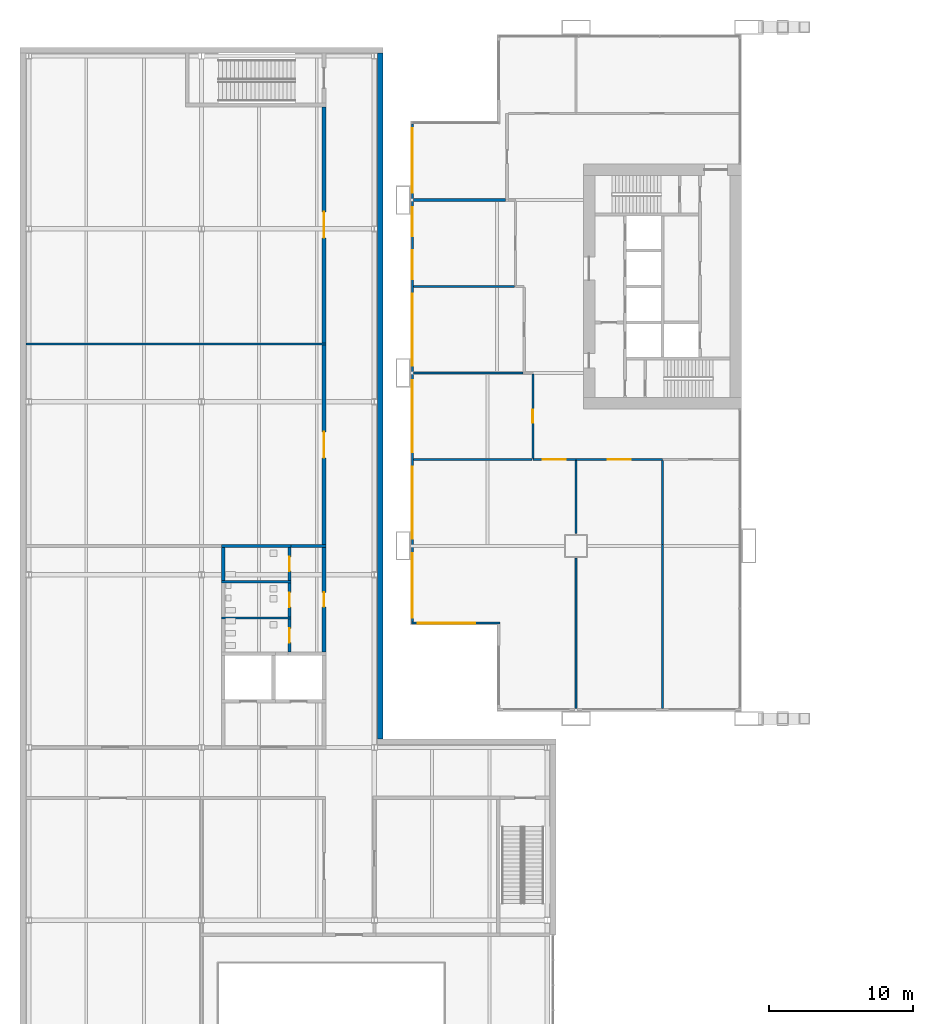
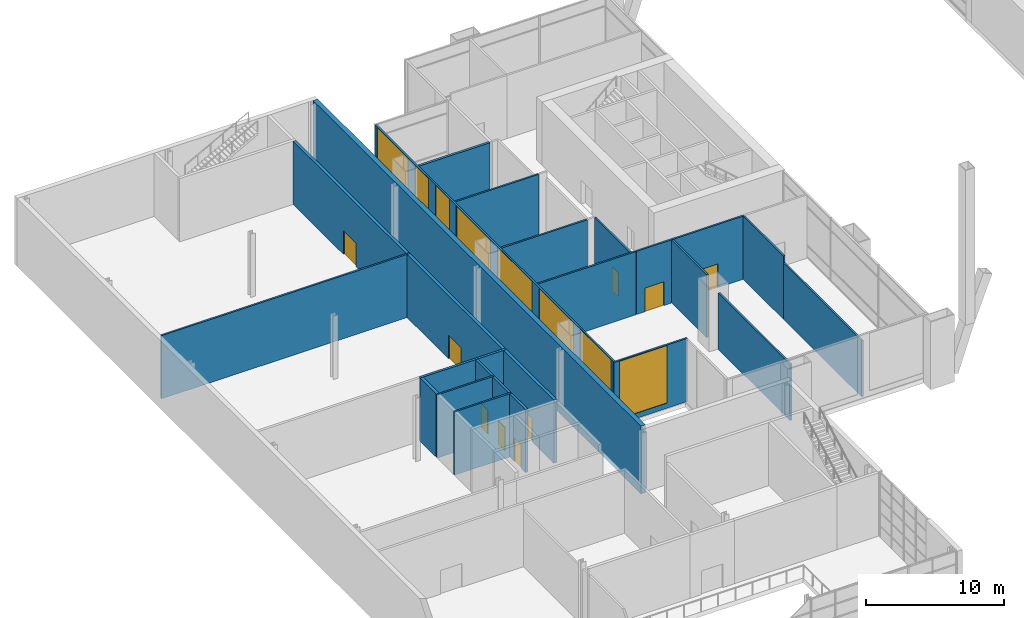
# One storey, part 22 of 30: 26 walls, 9 doors, 8 windows, 17 openings.
"""IFC4 building model written with IfcOpenShell, lengths in metres."""

from ifc_helpers import new_model, si_unit, direction, frame, frame_2d, origin, place, context, subcontext, project, spatial, rectangle, extrude, material, layer, layer_set, type_object, element, fill, save


model = new_model("IFC4")

# Units and contexts
model_context = context("Model", 3, precision=1e-05, world=origin(), true_north=direction((0.0, 1.0)))
body_context = subcontext(model_context, "Body", "Model", "MODEL_VIEW")
ifc_project = project(units=[si_unit("LENGTHUNIT", "METRE"), si_unit("AREAUNIT", "SQUARE_METRE"), si_unit("VOLUMEUNIT", "CUBIC_METRE"), si_unit("PLANEANGLEUNIT", "RADIAN"), si_unit("MASSUNIT", "GRAM", prefix="KILO")], contexts=[model_context])

# Site, building, storey
site_placement = place(None, origin())
site = spatial("IfcSite", under=ifc_project, at=site_placement, CompositionType="ELEMENT")
building_placement = place(site_placement, origin())
building = spatial("IfcBuilding", under=site, at=building_placement, Name="Kitamizu Gate Tower and Museum", CompositionType="ELEMENT")
storey_placement = place(building_placement, frame((0.0, 0.0, 6.0)))
storey = spatial("IfcBuildingStorey", under=building, at=storey_placement, Name="L01", CompositionType="ELEMENT", Elevation=6.0)

# Wall
ifc_material_1 = material(Name="Concrete Fc30 precast", Category="concrete")
ifc_layer_1 = layer(ifc_material_1, 0.39990234375)
ifc_layer_set_1 = layer_set([ifc_layer_1], Name="Concrete Fc30 precast")
wall_type_1 = type_object("IfcWallType", Name="Museum cladding wall 400", PredefinedType="STANDARD", material=ifc_layer_set_1)
wall_1_placement = place(storey_placement, frame((-1.60009765625, -1.39990234375, -0.39990234375), z_axis=(0.0, 0.0, 1.0), x_axis=(0.0, 1.0, 0.0)))
element("IfcWall", 1, at=wall_1_placement, inside=storey, type_object=wall_type_1, Name="Cladding wall L01.6", PredefinedType="STANDARD", context=body_context, shape_type="SweptSolid", body=[
    extrude(rectangle(XDim=47.599853515625, YDim=0.39990234375, at=frame_2d((23.7998046875, 0.0))), origin(), (0.0, 0.0, 1.0), 6.0),
])

# Wall, opening, door
ifc_material_2 = material(Name="Gypsum board on galvanised stud")
ifc_layer_2 = layer(ifc_material_2, 0.199951171875)
ifc_layer_set_2 = layer_set([ifc_layer_2], Name="Gypsum board on galvanised stud")
wall_type_2 = type_object("IfcWallType", Name="Museum fire rated partition 200", PredefinedType="PARTITIONING", material=ifc_layer_set_2)
wall_2_placement = place(storey_placement, frame((-7.89990234375, 9.574951171875, 0.0), z_axis=(0.0, 0.0, 1.0), x_axis=(0.0, 1.0, 0.0)))
wall_2 = element("IfcWall", 2, at=wall_2_placement, inside=storey, type_object=wall_type_2, Name="Fire-rated partition L01.37.1", PredefinedType="PARTITIONING", context=body_context, shape_type="SweptSolid", body=[
    extrude(rectangle(XDim=2.324951171875, YDim=0.199951171875, at=frame_2d((1.16259765625, 0.0))), origin(), (0.0, 0.0, 1.0), 5.60009765625),
])
opening_1_placement = place(wall_2_placement, frame((0.6630859375, 0.0, 0.0)))
opening_1 = element("IfcOpeningElement", 3, at=opening_1_placement, cuts=wall_2, Name="Opening MUS-L01-009", PredefinedType="OPENING", context=body_context, shape_type="SweptSolid", body=[
    extrude(rectangle(XDim=1.0, YDim=2.10009765625, at=frame_2d((0.5, 1.050048828125))), frame((0.0, 0.10986328125, 0.0), z_axis=(0.0, -1.0, 0.0), x_axis=(1.0, 0.0, 0.0)), (0.0, 0.0, 1.0), 0.219970703125),
])
ifc_material_3 = material(Name="Timber leaf in hollow metal frame", Category="wood")
door_type_1 = type_object("IfcDoorType", Name="Museum door 1000x2100 FD60", OperationType="NOTDEFINED", PredefinedType="DOOR", material=ifc_material_3)
door_1_placement = place(opening_1_placement, origin())
door_1 = element("IfcDoor", 4, at=door_1_placement, inside=storey, type_object=door_type_1, Name="Door Accessible WC", OperationType="SINGLE_SWING_RIGHT", OverallHeight=2.10009765625, OverallWidth=1.0, PredefinedType="DOOR", context=body_context, shape_type="SweptSolid", body=[
    extrude(rectangle(XDim=1.0, YDim=2.10009765625, at=frame_2d((0.5, 1.050048828125))), frame((0.0, 0.02490234375, 0.0), z_axis=(0.0, -1.0, 0.0), x_axis=(1.0, 0.0, 0.0)), (0.0, 0.0, 1.0), 0.050048828125),
])
fill(opening_1, door_1)

wall_3_placement = place(storey_placement, frame((-7.89990234375, 7.074951171875, 0.0), z_axis=(0.0, 0.0, 1.0), x_axis=(0.0, 1.0, 0.0)))
wall_3 = element("IfcWall", 5, at=wall_3_placement, inside=storey, type_object=wall_type_2, Name="Fire-rated partition L01.38.1", PredefinedType="PARTITIONING", context=body_context, shape_type="SweptSolid", body=[
    extrude(rectangle(XDim=2.35009765625, YDim=0.199951171875, at=frame_2d((1.175048828125, 0.0))), origin(), (0.0, 0.0, 1.0), 5.60009765625),
])
opening_2_placement = place(wall_3_placement, frame((0.675048828125, 0.0, 0.0)))
opening_2 = element("IfcOpeningElement", 6, at=opening_2_placement, cuts=wall_3, Name="Opening MUS-L01-008", PredefinedType="OPENING", context=body_context, shape_type="SweptSolid", body=[
    extrude(rectangle(XDim=1.0, YDim=2.10009765625, at=frame_2d((0.5, 1.050048828125))), frame((0.0, 0.10986328125, 0.0), z_axis=(0.0, -1.0, 0.0), x_axis=(1.0, 0.0, 0.0)), (0.0, 0.0, 1.0), 0.219970703125),
])
door_2_placement = place(opening_2_placement, origin())
door_2 = element("IfcDoor", 7, at=door_2_placement, inside=storey, type_object=door_type_1, Name="Door Men WC", OperationType="SINGLE_SWING_LEFT", OverallHeight=2.10009765625, OverallWidth=1.0, PredefinedType="DOOR", context=body_context, shape_type="SweptSolid", body=[
    extrude(rectangle(XDim=1.0, YDim=2.10009765625, at=frame_2d((0.5, 1.050048828125))), frame((0.0, 0.02490234375, 0.0), z_axis=(0.0, -1.0, 0.0), x_axis=(1.0, 0.0, 0.0)), (0.0, 0.0, 1.0), 0.050048828125),
])
fill(opening_2, door_2)

# Wall
wall_4_placement = place(storey_placement, frame((-7.800048828125, 12.0, 0.0), z_axis=(0.0, 0.0, 1.0), x_axis=(1.0, 0.0, 0.0)))
element("IfcWall", 8, at=wall_4_placement, inside=storey, type_object=wall_type_2, Name="Fire-rated partition L01.39.1", PredefinedType="PARTITIONING", context=body_context, shape_type="SweptSolid", body=[
    extrude(rectangle(XDim=2.425048828125, YDim=0.199951171875, at=frame_2d((1.21240234375, 0.0))), origin(), (0.0, 0.0, 1.0), 5.60009765625),
])

# Wall, opening, door
wall_5_placement = place(storey_placement, frame((-7.89990234375, 4.625, 0.0), z_axis=(0.0, 0.0, 1.0), x_axis=(0.0, 1.0, 0.0)))
wall_5 = element("IfcWall", 9, at=wall_5_placement, inside=storey, type_object=wall_type_2, Name="Fire-rated partition L01.40.1", PredefinedType="PARTITIONING", context=body_context, shape_type="SweptSolid", body=[
    extrude(rectangle(XDim=2.300048828125, YDim=0.199951171875, at=frame_2d((1.14990234375, 0.0))), origin(), (0.0, 0.0, 1.0), 5.60009765625),
])
opening_3_placement = place(wall_5_placement, frame((0.64990234375, 0.0, 0.0)))
opening_3 = element("IfcOpeningElement", 10, at=opening_3_placement, cuts=wall_5, Name="Opening MUS-L01-007", PredefinedType="OPENING", context=body_context, shape_type="SweptSolid", body=[
    extrude(rectangle(XDim=1.0, YDim=2.10009765625, at=frame_2d((0.5, 1.050048828125))), frame((0.0, 0.10986328125, 0.0), z_axis=(0.0, -1.0, 0.0), x_axis=(1.0, 0.0, 0.0)), (0.0, 0.0, 1.0), 0.219970703125),
])
door_3_placement = place(opening_3_placement, origin())
door_3 = element("IfcDoor", 11, at=door_3_placement, inside=storey, type_object=door_type_1, Name="Door Women WC", OperationType="SINGLE_SWING_RIGHT", OverallHeight=2.10009765625, OverallWidth=1.0, PredefinedType="DOOR", context=body_context, shape_type="SweptSolid", body=[
    extrude(rectangle(XDim=1.0, YDim=2.10009765625, at=frame_2d((0.5, 1.050048828125))), frame((0.0, 0.02490234375, 0.0), z_axis=(0.0, -1.0, 0.0), x_axis=(1.0, 0.0, 0.0)), (0.0, 0.0, 1.0), 0.050048828125),
])
fill(opening_3, door_3)

ifc_material_4 = material(Name="Gypsum board on galvanised stud")
ifc_layer_3 = layer(ifc_material_4, 0.25)
ifc_layer_set_3 = layer_set([ifc_layer_3], Name="Gypsum board on galvanised stud")
wall_type_3 = type_object("IfcWallType", Name="Museum fire rated partition 250", PredefinedType="PARTITIONING", material=ifc_layer_set_3)
wall_6_placement = place(storey_placement, frame((-5.5, 12.10009765625, 0.0), z_axis=(0.0, 0.0, 1.0), x_axis=(0.0, 1.0, 0.0)))
wall_6 = element("IfcWall", 12, at=wall_6_placement, inside=storey, type_object=wall_type_3, Name="Fire-rated partition L01.9.1", PredefinedType="PARTITIONING", context=body_context, shape_type="SweptSolid", body=[
    extrude(rectangle(XDim=13.824951171875, YDim=0.25, at=frame_2d((6.91259765625, 0.0))), origin(), (0.0, 0.0, 1.0), 5.60009765625),
])
opening_4_placement = place(wall_6_placement, frame((6.012939453125, 0.0, 0.0)))
opening_4 = element("IfcOpeningElement", 13, at=opening_4_placement, cuts=wall_6, Name="Opening MUS-L01-015", PredefinedType="OPENING", context=body_context, shape_type="SweptSolid", body=[
    extrude(rectangle(XDim=1.800048828125, YDim=2.10009765625, at=frame_2d((0.89990234375, 1.050048828125))), frame((0.0, 0.135009765625, 0.0), z_axis=(0.0, -1.0, 0.0), x_axis=(1.0, 0.0, 0.0)), (0.0, 0.0, 1.0), 0.27001953125),
])
ifc_material_5 = material(Name="Timber leaf in hollow metal frame", Category="wood")
door_type_2 = type_object("IfcDoorType", Name="Museum door 1800x2100 FD60", OperationType="DOUBLE_DOOR_SINGLE_SWING", PredefinedType="DOOR", material=ifc_material_5)
door_4_placement = place(opening_4_placement, origin())
door_4 = element("IfcDoor", 14, at=door_4_placement, inside=storey, type_object=door_type_2, Name="Door Permanent gallery 3", OperationType="DOUBLE_DOOR_SINGLE_SWING", OverallHeight=2.10009765625, OverallWidth=1.800048828125, PredefinedType="DOOR", context=body_context, shape_type="SweptSolid", body=[
    extrude(rectangle(XDim=1.800048828125, YDim=2.10009765625, at=frame_2d((0.89990234375, 1.050048828125))), frame((0.0, 0.02490234375, 0.0), z_axis=(0.0, -1.0, 0.0), x_axis=(1.0, 0.0, 0.0)), (0.0, 0.0, 1.0), 0.050048828125),
])
fill(opening_4, door_4)

wall_7_placement = place(storey_placement, frame((-5.5, 26.074951171875, 0.0), z_axis=(0.0, 0.0, 1.0), x_axis=(0.0, 1.0, 0.0)))
wall_7 = element("IfcWall", 15, at=wall_7_placement, inside=storey, type_object=wall_type_3, Name="Fire-rated partition L01.15.1", PredefinedType="PARTITIONING", context=body_context, shape_type="SweptSolid", body=[
    extrude(rectangle(XDim=16.400146484375, YDim=0.25, at=frame_2d((8.2001953125, 0.0))), origin(), (0.0, 0.0, 1.0), 5.60009765625),
])
opening_5_placement = place(wall_7_placement, frame((7.300048828125, 0.0, 0.0)))
opening_5 = element("IfcOpeningElement", 16, at=opening_5_placement, cuts=wall_7, Name="Opening MUS-L01-016", PredefinedType="OPENING", context=body_context, shape_type="SweptSolid", body=[
    extrude(rectangle(XDim=1.800048828125, YDim=2.10009765625, at=frame_2d((0.89990234375, 1.050048828125))), frame((0.0, 0.135009765625, 0.0), z_axis=(0.0, -1.0, 0.0), x_axis=(1.0, 0.0, 0.0)), (0.0, 0.0, 1.0), 0.27001953125),
])
door_5_placement = place(opening_5_placement, origin())
door_5 = element("IfcDoor", 17, at=door_5_placement, inside=storey, type_object=door_type_2, Name="Door Temporary gallery 1", OperationType="DOUBLE_DOOR_SINGLE_SWING", OverallHeight=2.10009765625, OverallWidth=1.800048828125, PredefinedType="DOOR", context=body_context, shape_type="SweptSolid", body=[
    extrude(rectangle(XDim=1.800048828125, YDim=2.10009765625, at=frame_2d((0.89990234375, 1.050048828125))), frame((0.0, 0.02490234375, 0.0), z_axis=(0.0, -1.0, 0.0), x_axis=(1.0, 0.0, 0.0)), (0.0, 0.0, 1.0), 0.050048828125),
])
fill(opening_5, door_5)

wall_8_placement = place(storey_placement, frame((-5.5, 4.625, 0.0), z_axis=(0.0, 0.0, 1.0), x_axis=(0.0, 1.0, 0.0)))
wall_8 = element("IfcWall", 18, at=wall_8_placement, inside=storey, type_object=wall_type_3, Name="Fire-rated partition L01.16.1", PredefinedType="PARTITIONING", context=body_context, shape_type="SweptSolid", body=[
    extrude(rectangle(XDim=7.27490234375, YDim=0.25, at=frame_2d((3.637451171875, 0.0))), origin(), (0.0, 0.0, 1.0), 5.60009765625),
])
opening_6_placement = place(wall_8_placement, frame((3.137939453125, 0.0, 0.0)))
opening_6 = element("IfcOpeningElement", 19, at=opening_6_placement, cuts=wall_8, Name="Opening MUS-L01-006", PredefinedType="OPENING", context=body_context, shape_type="SweptSolid", body=[
    extrude(rectangle(XDim=1.0, YDim=2.10009765625, at=frame_2d((0.5, 1.050048828125))), frame((0.0, 0.135009765625, 0.0), z_axis=(0.0, -1.0, 0.0), x_axis=(1.0, 0.0, 0.0)), (0.0, 0.0, 1.0), 0.27001953125),
])
door_6_placement = place(opening_6_placement, origin())
door_6 = element("IfcDoor", 20, at=door_6_placement, inside=storey, type_object=door_type_1, Name="Door WC lobby", OperationType="SINGLE_SWING_LEFT", OverallHeight=2.10009765625, OverallWidth=1.0, PredefinedType="DOOR", context=body_context, shape_type="SweptSolid", body=[
    extrude(rectangle(XDim=1.0, YDim=2.10009765625, at=frame_2d((0.5, 1.050048828125))), frame((0.0, 0.02490234375, 0.0), z_axis=(0.0, -1.0, 0.0), x_axis=(1.0, 0.0, 0.0)), (0.0, 0.0, 1.0), 0.050048828125),
])
fill(opening_6, door_6)

# Walls
ifc_material_6 = material(Name="Gypsum board on galvanised stud")
ifc_layer_4 = layer(ifc_material_6, 0.14990234375)
ifc_layer_set_4 = layer_set([ifc_layer_4], Name="Gypsum board on galvanised stud")
wall_type_4 = type_object("IfcWallType", Name="Museum partition 150", PredefinedType="PARTITIONING", material=ifc_layer_set_4)
wall_9_placement = place(storey_placement, frame((-12.625, 9.5, 0.0), z_axis=(0.0, 0.0, 1.0), x_axis=(1.0, 0.0, 0.0)))
element("IfcWall", 21, at=wall_9_placement, inside=storey, type_object=wall_type_4, Name="Partition L01.23.1", PredefinedType="PARTITIONING", context=body_context, shape_type="SweptSolid", body=[
    extrude(rectangle(XDim=4.824951171875, YDim=0.14990234375, at=frame_2d((2.41259765625, 0.0))), origin(), (0.0, 0.0, 1.0), 5.60009765625),
])
wall_10_placement = place(storey_placement, frame((-26.199951171875, 26.0, 0.0), z_axis=(0.0, 0.0, 1.0), x_axis=(1.0, 0.0, 0.0)))
element("IfcWall", 22, at=wall_10_placement, inside=storey, type_object=wall_type_4, Name="Partition L01.30.1", PredefinedType="PARTITIONING", context=body_context, shape_type="SweptSolid", body=[
    extrude(rectangle(XDim=20.824951171875, YDim=0.14990234375, at=frame_2d((10.41259765625, 0.0))), origin(), (0.0, 0.0, 1.0), 5.60009765625),
])
wall_11_placement = place(storey_placement, frame((-12.625, 7.0, 0.0), z_axis=(0.0, 0.0, 1.0), x_axis=(1.0, 0.0, 0.0)))
element("IfcWall", 23, at=wall_11_placement, inside=storey, type_object=wall_type_4, Name="Partition L01.41.1", PredefinedType="PARTITIONING", context=body_context, shape_type="SweptSolid", body=[
    extrude(rectangle(XDim=4.824951171875, YDim=0.14990234375, at=frame_2d((2.41259765625, 0.0))), origin(), (0.0, 0.0, 1.0), 5.60009765625),
])
ifc_material_7 = material(Name="Gypsum board on galvanised stud")
ifc_layer_5 = layer(ifc_material_7, 0.199951171875)
ifc_layer_set_5 = layer_set([ifc_layer_5], Name="Gypsum board on galvanised stud")
wall_type_5 = type_object("IfcWallType", Name="Museum partition 200", PredefinedType="PARTITIONING", material=ifc_layer_set_5)
wall_12_placement = place(storey_placement, frame((-12.625, 12.0, 0.0), z_axis=(0.0, 0.0, 1.0), x_axis=(1.0, 0.0, 0.0)))
element("IfcWall", 24, at=wall_12_placement, inside=storey, type_object=wall_type_5, Name="Partition L01.1.1", PredefinedType="PARTITIONING", context=body_context, shape_type="SweptSolid", body=[
    extrude(rectangle(XDim=4.824951171875, YDim=0.199951171875, at=frame_2d((2.41259765625, 0.0))), origin(), (0.0, 0.0, 1.0), 5.60009765625),
])
ifc_material_8 = material(Name="Gypsum board on galvanised stud")
ifc_layer_6 = layer(ifc_material_8, 0.25)
ifc_layer_set_6 = layer_set([ifc_layer_6], Name="Gypsum board on galvanised stud")
wall_type_6 = type_object("IfcWallType", Name="Museum partition 250", PredefinedType="PARTITIONING", material=ifc_layer_set_6)
wall_13_placement = place(storey_placement, frame((-12.5, 9.574951171875, 0.0), z_axis=(0.0, 0.0, 1.0), x_axis=(0.0, 1.0, 0.0)))
element("IfcWall", 25, at=wall_13_placement, inside=storey, type_object=wall_type_6, Name="Partition L01.0.1", PredefinedType="PARTITIONING", context=body_context, shape_type="SweptSolid", body=[
    extrude(rectangle(XDim=2.324951171875, YDim=0.25, at=frame_2d((1.16259765625, 0.0))), origin(), (0.0, 0.0, 1.0), 5.60009765625),
])

# Wall, opening, door
ifc_material_9 = material(Name="Gypsum board on galvanised stud")
ifc_layer_7 = layer(ifc_material_9, 0.14990234375)
ifc_layer_set_7 = layer_set([ifc_layer_7], Name="Gypsum board on galvanised stud")
wall_type_7 = type_object("IfcWallType", Name="Partition 150", PredefinedType="PARTITIONING", material=ifc_layer_set_7)
wall_14_placement = place(storey_placement, frame((9.0, 18.0, 0.0), z_axis=(0.0, 0.0, 1.0), x_axis=(1.0, 0.0, 0.0)))
wall_14 = element("IfcWall", 26, at=wall_14_placement, inside=storey, type_object=wall_type_7, Name="Partition L01-001", PredefinedType="PARTITIONING", context=body_context, shape_type="SweptSolid", body=[
    extrude(rectangle(XDim=3.0, YDim=0.14990234375, at=frame_2d((1.5, 0.0))), origin(), (0.0, 0.0, 1.0), 5.60009765625),
])
opening_7_placement = place(wall_14_placement, frame((0.699951171875, 0.0, 0.0)))
opening_7 = element("IfcOpeningElement", 27, at=opening_7_placement, cuts=wall_14, Name="Opening L01-010", PredefinedType="OPENING", context=body_context, shape_type="SweptSolid", body=[
    extrude(rectangle(XDim=1.60009765625, YDim=2.10009765625, at=frame_2d((0.800048828125, 1.050048828125))), frame((0.0, 0.0849609375, 0.0), z_axis=(0.0, -1.0, 0.0), x_axis=(1.0, 0.0, 0.0)), (0.0, 0.0, 1.0), 0.169921875),
])
ifc_material_10 = material(Name="Timber door set", Category="wood")
door_type_3 = type_object("IfcDoorType", Name="Double door 1600", OperationType="DOUBLE_DOOR_SINGLE_SWING", PredefinedType="DOOR", material=ifc_material_10)
door_7_placement = place(opening_7_placement, origin())
door_7 = element("IfcDoor", 28, at=door_7_placement, inside=storey, type_object=door_type_3, Name="Double door L01-010", OperationType="DOUBLE_DOOR_SINGLE_SWING", OverallHeight=2.10009765625, OverallWidth=1.60009765625, PredefinedType="DOOR", context=body_context, shape_type="SweptSolid", body=[
    extrude(rectangle(XDim=1.60009765625, YDim=2.10009765625, at=frame_2d((0.800048828125, 1.050048828125))), frame((0.0, 0.02490234375, 0.0), z_axis=(0.0, -1.0, 0.0), x_axis=(1.0, 0.0, 0.0)), (0.0, 0.0, 1.0), 0.050048828125),
])
fill(opening_7, door_7)

wall_15_placement = place(storey_placement, frame((12.0, 18.0, 0.0), z_axis=(0.0, 0.0, 1.0), x_axis=(1.0, 0.0, 0.0)))
wall_15 = element("IfcWall", 29, at=wall_15_placement, inside=storey, type_object=wall_type_7, Name="Partition L01-002", PredefinedType="PARTITIONING", context=body_context, shape_type="SweptSolid", body=[
    extrude(rectangle(XDim=6.0, YDim=0.14990234375, at=frame_2d((3.0, 0.0))), origin(), (0.0, 0.0, 1.0), 5.60009765625),
])
opening_8_placement = place(wall_15_placement, frame((2.199951171875, 0.0, 0.0)))
opening_8 = element("IfcOpeningElement", 30, at=opening_8_placement, cuts=wall_15, Name="Opening L01-011", PredefinedType="OPENING", context=body_context, shape_type="SweptSolid", body=[
    extrude(rectangle(XDim=1.60009765625, YDim=2.10009765625, at=frame_2d((0.800048828125, 1.050048828125))), frame((0.0, 0.0849609375, 0.0), z_axis=(0.0, -1.0, 0.0), x_axis=(1.0, 0.0, 0.0)), (0.0, 0.0, 1.0), 0.169921875),
])
door_8_placement = place(opening_8_placement, origin())
door_8 = element("IfcDoor", 31, at=door_8_placement, inside=storey, type_object=door_type_3, Name="Double door L01-011", OperationType="DOUBLE_DOOR_SINGLE_SWING", OverallHeight=2.10009765625, OverallWidth=1.60009765625, PredefinedType="DOOR", context=body_context, shape_type="SweptSolid", body=[
    extrude(rectangle(XDim=1.60009765625, YDim=2.10009765625, at=frame_2d((0.800048828125, 1.050048828125))), frame((0.0, 0.02490234375, 0.0), z_axis=(0.0, -1.0, 0.0), x_axis=(1.0, 0.0, 0.0)), (0.0, 0.0, 1.0), 0.050048828125),
])
fill(opening_8, door_8)

wall_16_placement = place(storey_placement, frame((9.0, 23.925048828125, 0.0), z_axis=(0.0, 0.0, 1.0), x_axis=(0.0, -1.0, 0.0)))
wall_16 = element("IfcWall", 32, at=wall_16_placement, inside=storey, type_object=wall_type_7, Name="Partition L01-005", PredefinedType="PARTITIONING", context=body_context, shape_type="SweptSolid", body=[
    extrude(rectangle(XDim=5.85009765625, YDim=0.14990234375, at=frame_2d((2.925048828125, 0.0))), origin(), (0.0, 0.0, 1.0), 5.0),
])
opening_9_placement = place(wall_16_placement, frame((2.47509765625, 0.0, 0.0)))
opening_9 = element("IfcOpeningElement", 33, at=opening_9_placement, cuts=wall_16, Name="Opening L01-013", PredefinedType="OPENING", context=body_context, shape_type="SweptSolid", body=[
    extrude(rectangle(XDim=0.89990234375, YDim=2.10009765625, at=frame_2d((0.449951171875, 1.050048828125))), frame((0.0, 0.0849609375, 0.0), z_axis=(0.0, -1.0, 0.0), x_axis=(1.0, 0.0, 0.0)), (0.0, 0.0, 1.0), 0.169921875),
])
ifc_material_11 = material(Name="Timber door set", Category="wood")
door_type_4 = type_object("IfcDoorType", Name="Room door 900", OperationType="NOTDEFINED", PredefinedType="DOOR", material=ifc_material_11)
door_9_placement = place(opening_9_placement, frame((0.89990234375, 0.0, 0.0), x_axis=(-1.0, 0.0, 0.0)))
door_9 = element("IfcDoor", 34, at=door_9_placement, inside=storey, type_object=door_type_4, Name="Door L01-013", OperationType="SINGLE_SWING_RIGHT", OverallHeight=2.10009765625, OverallWidth=0.89990234375, PredefinedType="DOOR", context=body_context, shape_type="SweptSolid", body=[
    extrude(rectangle(XDim=0.89990234375, YDim=2.10009765625, at=frame_2d((0.449951171875, 1.050048828125))), frame((0.0, 0.02490234375, 0.0), z_axis=(0.0, -1.0, 0.0), x_axis=(1.0, 0.0, 0.0)), (0.0, 0.0, 1.0), 0.050048828125),
])
fill(opening_9, door_9)

# Walls
wall_17_placement = place(storey_placement, frame((12.0, 0.719970703125, 0.0), z_axis=(0.0, 0.0, 1.0), x_axis=(0.0, 1.0, 0.0)))
element("IfcWall", 35, at=wall_17_placement, inside=storey, type_object=wall_type_7, Name="Partition L01-034", PredefinedType="PARTITIONING", context=body_context, shape_type="SweptSolid", body=[
    extrude(rectangle(XDim=10.429931640625, YDim=0.14990234375, at=frame_2d((5.21484375, 0.0))), origin(), (0.0, 0.0, 1.0), 5.0),
])
wall_18_placement = place(storey_placement, frame((12.0, 12.85009765625, 0.0), z_axis=(0.0, 0.0, 1.0), x_axis=(0.0, 1.0, 0.0)))
element("IfcWall", 36, at=wall_18_placement, inside=storey, type_object=wall_type_7, Name="Partition L01-035", PredefinedType="PARTITIONING", context=body_context, shape_type="SweptSolid", body=[
    extrude(rectangle(XDim=5.074951171875, YDim=0.14990234375, at=frame_2d((2.53759765625, 0.0))), origin(), (0.0, 0.0, 1.0), 5.60009765625),
])
wall_19_placement = place(storey_placement, frame((8.925048828125, 18.0, 0.0), z_axis=(0.0, 0.0, 1.0), x_axis=(-1.0, 0.0, 0.0)))
element("IfcWall", 37, at=wall_19_placement, inside=storey, type_object=wall_type_7, Name="Partition L01-036", PredefinedType="PARTITIONING", context=body_context, shape_type="SweptSolid", body=[
    extrude(rectangle(XDim=8.205078125, YDim=0.14990234375, at=frame_2d((4.1025390625, 0.0))), origin(), (0.0, 0.0, 1.0), 5.60009765625),
])
wall_20_placement = place(storey_placement, frame((18.0, 0.719970703125, 0.0), z_axis=(0.0, 0.0, 1.0), x_axis=(0.0, 1.0, 0.0)))
element("IfcWall", 38, at=wall_20_placement, inside=storey, type_object=wall_type_7, Name="Partition L01-037", PredefinedType="PARTITIONING", context=body_context, shape_type="SweptSolid", body=[
    extrude(rectangle(XDim=11.380126953125, YDim=0.14990234375, at=frame_2d((5.68994140625, 0.0))), origin(), (0.0, 0.0, 1.0), 5.0),
])
wall_21_placement = place(storey_placement, frame((18.0, 12.10009765625, 0.0), z_axis=(0.0, 0.0, 1.0), x_axis=(0.0, 1.0, 0.0)))
element("IfcWall", 39, at=wall_21_placement, inside=storey, type_object=wall_type_7, Name="Partition L01-038", PredefinedType="PARTITIONING", context=body_context, shape_type="SweptSolid", body=[
    extrude(rectangle(XDim=5.824951171875, YDim=0.14990234375, at=frame_2d((2.91259765625, 0.0))), origin(), (0.0, 0.0, 1.0), 5.60009765625),
])
wall_22_placement = place(storey_placement, frame((8.324951171875, 24.0, 0.0), z_axis=(0.0, 0.0, 1.0), x_axis=(-1.0, 0.0, 0.0)))
element("IfcWall", 40, at=wall_22_placement, inside=storey, type_object=wall_type_7, Name="Partition L01-039", PredefinedType="PARTITIONING", context=body_context, shape_type="SweptSolid", body=[
    extrude(rectangle(XDim=7.60498046875, YDim=0.14990234375, at=frame_2d((3.802490234375, 0.0))), origin(), (0.0, 0.0, 1.0), 5.0),
])
wall_23_placement = place(storey_placement, frame((7.72509765625, 30.0, 0.0), z_axis=(0.0, 0.0, 1.0), x_axis=(-1.0, 0.0, 0.0)))
element("IfcWall", 41, at=wall_23_placement, inside=storey, type_object=wall_type_7, Name="Partition L01-040", PredefinedType="PARTITIONING", context=body_context, shape_type="SweptSolid", body=[
    extrude(rectangle(XDim=7.005126953125, YDim=0.14990234375, at=frame_2d((3.50244140625, 0.0))), origin(), (0.0, 0.0, 1.0), 5.60009765625),
])
ifc_material_12 = material(Name="Gypsum board on galvanised stud")
ifc_layer_8 = layer(ifc_material_12, 0.199951171875)
ifc_layer_set_8 = layer_set([ifc_layer_8], Name="Gypsum board on galvanised stud")
wall_type_8 = type_object("IfcWallType", Name="Partition 200", PredefinedType="PARTITIONING", material=ifc_layer_set_8)
wall_24_placement = place(storey_placement, frame((7.10009765625, 36.0, 0.0), z_axis=(0.0, 0.0, 1.0), x_axis=(-1.0, 0.0, 0.0)))
element("IfcWall", 42, at=wall_24_placement, inside=storey, type_object=wall_type_8, Name="Partition L01-041", PredefinedType="PARTITIONING", context=body_context, shape_type="SweptSolid", body=[
    extrude(rectangle(XDim=6.380126953125, YDim=0.199951171875, at=frame_2d((3.18994140625, 0.0))), origin(), (0.0, 0.0, 1.0), 5.0),
])

# Wall, openings, windows
ifc_material_13 = material(Name="Bronze anodised aluminium frame with insulated spandrel and tinted glass", Category="aluminium")
ifc_layer_9 = layer(ifc_material_13, 0.14990234375)
ifc_layer_set_9 = layer_set([ifc_layer_9], Name="Bronze anodised aluminium frame with insulated spandrel and tinted glass")
wall_type_9 = type_object("IfcWallType", Name="WINDOW WALL 150 BRONZE FRAME EI 60", PredefinedType="ELEMENTEDWALL", material=ifc_layer_set_9)
wall_25_placement = place(storey_placement, frame((0.635009765625, 6.7099609375, 0.0), z_axis=(0.0, 0.0, 1.0), x_axis=(0.0, 1.0, 0.0)))
wall_25 = element("IfcWall", 43, at=wall_25_placement, inside=storey, type_object=wall_type_9, Name="Window wall west L01", PredefinedType="ELEMENTEDWALL", context=body_context, shape_type="SweptSolid", body=[
    extrude(rectangle(XDim=34.580078125, YDim=0.14990234375, at=frame_2d((17.2900390625, 0.0))), origin(), (0.0, 0.0, 1.0), 5.60009765625),
])
opening_10_placement = place(wall_25_placement, frame((0.2900390625, 0.0, 0.449951171875)))
opening_10 = element("IfcOpeningElement", 44, at=opening_10_placement, cuts=wall_25, Name="Opening W21", PredefinedType="OPENING", context=body_context, shape_type="SweptSolid", body=[
    extrude(rectangle(XDim=4.5, YDim=5.10009765625, at=frame_2d((2.25, 2.550048828125))), frame((0.0, 0.0849609375, 0.0), z_axis=(0.0, -1.0, 0.0), x_axis=(1.0, 0.0, 0.0)), (0.0, 0.0, 1.0), 0.169921875),
])
opening_11_placement = place(wall_25_placement, frame((5.7900390625, 0.0, 0.449951171875)))
opening_11 = element("IfcOpeningElement", 45, at=opening_11_placement, cuts=wall_25, Name="Opening W7", PredefinedType="OPENING", context=body_context, shape_type="SweptSolid", body=[
    extrude(rectangle(XDim=5.0, YDim=5.10009765625, at=frame_2d((2.5, 2.550048828125))), frame((0.0, 0.0849609375, 0.0), z_axis=(0.0, -1.0, 0.0), x_axis=(1.0, 0.0, 0.0)), (0.0, 0.0, 1.0), 0.169921875),
])
opening_12_placement = place(wall_25_placement, frame((11.7900390625, 0.0, 0.449951171875)))
opening_12 = element("IfcOpeningElement", 46, at=opening_12_placement, cuts=wall_25, Name="Opening W7", PredefinedType="OPENING", context=body_context, shape_type="SweptSolid", body=[
    extrude(rectangle(XDim=5.0, YDim=5.10009765625, at=frame_2d((2.5, 2.550048828125))), frame((0.0, 0.0849609375, 0.0), z_axis=(0.0, -1.0, 0.0), x_axis=(1.0, 0.0, 0.0)), (0.0, 0.0, 1.0), 0.169921875),
])
opening_13_placement = place(wall_25_placement, frame((17.7900390625, 0.0, 0.449951171875)))
opening_13 = element("IfcOpeningElement", 47, at=opening_13_placement, cuts=wall_25, Name="Opening W7", PredefinedType="OPENING", context=body_context, shape_type="SweptSolid", body=[
    extrude(rectangle(XDim=5.0, YDim=5.10009765625, at=frame_2d((2.5, 2.550048828125))), frame((0.0, 0.0849609375, 0.0), z_axis=(0.0, -1.0, 0.0), x_axis=(1.0, 0.0, 0.0)), (0.0, 0.0, 1.0), 0.169921875),
])
opening_14_placement = place(wall_25_placement, frame((23.7900390625, 0.0, 0.449951171875)))
opening_14 = element("IfcOpeningElement", 48, at=opening_14_placement, cuts=wall_25, Name="Opening W8", PredefinedType="OPENING", context=body_context, shape_type="SweptSolid", body=[
    extrude(rectangle(XDim=2.0, YDim=5.10009765625, at=frame_2d((1.0, 2.550048828125))), frame((0.0, 0.0849609375, 0.0), z_axis=(0.0, -1.0, 0.0), x_axis=(1.0, 0.0, 0.0)), (0.0, 0.0, 1.0), 0.169921875),
])
opening_15_placement = place(wall_25_placement, frame((26.7900390625, 0.0, 0.449951171875)))
opening_15 = element("IfcOpeningElement", 49, at=opening_15_placement, cuts=wall_25, Name="Opening W8", PredefinedType="OPENING", context=body_context, shape_type="SweptSolid", body=[
    extrude(rectangle(XDim=2.0, YDim=5.10009765625, at=frame_2d((1.0, 2.550048828125))), frame((0.0, 0.0849609375, 0.0), z_axis=(0.0, -1.0, 0.0), x_axis=(1.0, 0.0, 0.0)), (0.0, 0.0, 1.0), 0.169921875),
])
opening_16_placement = place(wall_25_placement, frame((29.7900390625, 0.0, 0.449951171875)))
opening_16 = element("IfcOpeningElement", 50, at=opening_16_placement, cuts=wall_25, Name="Opening W21", PredefinedType="OPENING", context=body_context, shape_type="SweptSolid", body=[
    extrude(rectangle(XDim=4.5, YDim=5.10009765625, at=frame_2d((2.25, 2.550048828125))), frame((0.0, 0.0849609375, 0.0), z_axis=(0.0, -1.0, 0.0), x_axis=(1.0, 0.0, 0.0)), (0.0, 0.0, 1.0), 0.169921875),
])
ifc_material_14 = material(Name="Bronze anodised aluminium frame, tinted triple glazing", Category="aluminium")
window_type_1 = type_object("IfcWindowType", Name="WINDOW 2000 x 5100 SILL 450", PartitioningType="SINGLE_PANEL", PredefinedType="WINDOW", material=ifc_material_14)
window_1_placement = place(opening_14_placement, origin())
window_1 = element("IfcWindow", 51, at=window_1_placement, inside=storey, type_object=window_type_1, Name="Window W8 L01", OverallHeight=5.10009765625, OverallWidth=2.0, PartitioningType="SINGLE_PANEL", PredefinedType="WINDOW", context=body_context, shape_type="SweptSolid", body=[
    extrude(rectangle(XDim=2.0, YDim=5.10009765625, at=frame_2d((1.0, 2.550048828125))), frame((0.0, 0.030029296875, 0.0), z_axis=(0.0, -1.0, 0.0), x_axis=(1.0, 0.0, 0.0)), (0.0, 0.0, 1.0), 0.06005859375),
])
fill(opening_14, window_1)
window_2_placement = place(opening_15_placement, origin())
window_2 = element("IfcWindow", 52, at=window_2_placement, inside=storey, type_object=window_type_1, Name="Window W8 L01", OverallHeight=5.10009765625, OverallWidth=2.0, PartitioningType="SINGLE_PANEL", PredefinedType="WINDOW", context=body_context, shape_type="SweptSolid", body=[
    extrude(rectangle(XDim=2.0, YDim=5.10009765625, at=frame_2d((1.0, 2.550048828125))), frame((0.0, 0.030029296875, 0.0), z_axis=(0.0, -1.0, 0.0), x_axis=(1.0, 0.0, 0.0)), (0.0, 0.0, 1.0), 0.06005859375),
])
fill(opening_15, window_2)
ifc_material_15 = material(Name="Bronze anodised aluminium frame, tinted triple glazing", Category="aluminium")
window_type_2 = type_object("IfcWindowType", Name="WINDOW 4500 x 5100 SILL 450", PartitioningType="SINGLE_PANEL", PredefinedType="WINDOW", material=ifc_material_15)
window_3_placement = place(opening_10_placement, origin())
window_3 = element("IfcWindow", 53, at=window_3_placement, inside=storey, type_object=window_type_2, Name="Window W21 L01", OverallHeight=5.10009765625, OverallWidth=4.5, PartitioningType="SINGLE_PANEL", PredefinedType="WINDOW", context=body_context, shape_type="SweptSolid", body=[
    extrude(rectangle(XDim=4.5, YDim=5.10009765625, at=frame_2d((2.25, 2.550048828125))), frame((0.0, 0.030029296875, 0.0), z_axis=(0.0, -1.0, 0.0), x_axis=(1.0, 0.0, 0.0)), (0.0, 0.0, 1.0), 0.06005859375),
])
fill(opening_10, window_3)
window_4_placement = place(opening_16_placement, origin())
window_4 = element("IfcWindow", 54, at=window_4_placement, inside=storey, type_object=window_type_2, Name="Window W21 L01", OverallHeight=5.10009765625, OverallWidth=4.5, PartitioningType="SINGLE_PANEL", PredefinedType="WINDOW", context=body_context, shape_type="SweptSolid", body=[
    extrude(rectangle(XDim=4.5, YDim=5.10009765625, at=frame_2d((2.25, 2.550048828125))), frame((0.0, 0.030029296875, 0.0), z_axis=(0.0, -1.0, 0.0), x_axis=(1.0, 0.0, 0.0)), (0.0, 0.0, 1.0), 0.06005859375),
])
fill(opening_16, window_4)
ifc_material_16 = material(Name="Bronze anodised aluminium frame, tinted triple glazing", Category="aluminium")
window_type_3 = type_object("IfcWindowType", Name="WINDOW 5000 x 5100 SILL 450", PartitioningType="SINGLE_PANEL", PredefinedType="WINDOW", material=ifc_material_16)
window_5_placement = place(opening_11_placement, origin())
window_5 = element("IfcWindow", 55, at=window_5_placement, inside=storey, type_object=window_type_3, Name="Window W7 L01", OverallHeight=5.10009765625, OverallWidth=5.0, PartitioningType="SINGLE_PANEL", PredefinedType="WINDOW", context=body_context, shape_type="SweptSolid", body=[
    extrude(rectangle(XDim=5.0, YDim=5.10009765625, at=frame_2d((2.5, 2.550048828125))), frame((0.0, 0.030029296875, 0.0), z_axis=(0.0, -1.0, 0.0), x_axis=(1.0, 0.0, 0.0)), (0.0, 0.0, 1.0), 0.06005859375),
])
fill(opening_11, window_5)
window_6_placement = place(opening_12_placement, origin())
window_6 = element("IfcWindow", 56, at=window_6_placement, inside=storey, type_object=window_type_3, Name="Window W7 L01", OverallHeight=5.10009765625, OverallWidth=5.0, PartitioningType="SINGLE_PANEL", PredefinedType="WINDOW", context=body_context, shape_type="SweptSolid", body=[
    extrude(rectangle(XDim=5.0, YDim=5.10009765625, at=frame_2d((2.5, 2.550048828125))), frame((0.0, 0.030029296875, 0.0), z_axis=(0.0, -1.0, 0.0), x_axis=(1.0, 0.0, 0.0)), (0.0, 0.0, 1.0), 0.06005859375),
])
fill(opening_12, window_6)
window_7_placement = place(opening_13_placement, origin())
window_7 = element("IfcWindow", 57, at=window_7_placement, inside=storey, type_object=window_type_3, Name="Window W7 L01", OverallHeight=5.10009765625, OverallWidth=5.0, PartitioningType="SINGLE_PANEL", PredefinedType="WINDOW", context=body_context, shape_type="SweptSolid", body=[
    extrude(rectangle(XDim=5.0, YDim=5.10009765625, at=frame_2d((2.5, 2.550048828125))), frame((0.0, 0.030029296875, 0.0), z_axis=(0.0, -1.0, 0.0), x_axis=(1.0, 0.0, 0.0)), (0.0, 0.0, 1.0), 0.06005859375),
])
fill(opening_13, window_7)

# Wall, opening, window
wall_26_placement = place(storey_placement, frame((0.56005859375, 6.635009765625, 0.0), z_axis=(0.0, 0.0, 1.0), x_axis=(1.0, 0.0, 0.0)))
wall_26 = element("IfcWall", 58, at=wall_26_placement, inside=storey, type_object=wall_type_9, Name="Window wall south L01", PredefinedType="ELEMENTEDWALL", context=body_context, shape_type="SweptSolid", body=[
    extrude(rectangle(XDim=6.14990234375, YDim=0.14990234375, at=frame_2d((3.074951171875, 0.0))), origin(), (0.0, 0.0, 1.0), 5.60009765625),
])
opening_17_placement = place(wall_26_placement, frame((0.43994140625, 0.0, 0.449951171875)))
opening_17 = element("IfcOpeningElement", 59, at=opening_17_placement, cuts=wall_26, Name="Opening W22", PredefinedType="OPENING", context=body_context, shape_type="SweptSolid", body=[
    extrude(rectangle(XDim=4.0, YDim=5.10009765625, at=frame_2d((2.0, 2.550048828125))), frame((0.0, 0.0849609375, 0.0), z_axis=(0.0, -1.0, 0.0), x_axis=(1.0, 0.0, 0.0)), (0.0, 0.0, 1.0), 0.169921875),
])
ifc_material_17 = material(Name="Bronze anodised aluminium frame, tinted triple glazing", Category="aluminium")
window_type_4 = type_object("IfcWindowType", Name="WINDOW 4000 x 5100 SILL 450", PartitioningType="SINGLE_PANEL", PredefinedType="WINDOW", material=ifc_material_17)
window_8_placement = place(opening_17_placement, origin())
window_8 = element("IfcWindow", 60, at=window_8_placement, inside=storey, type_object=window_type_4, Name="Window W22 L01", OverallHeight=5.10009765625, OverallWidth=4.0, PartitioningType="SINGLE_PANEL", PredefinedType="WINDOW", context=body_context, shape_type="SweptSolid", body=[
    extrude(rectangle(XDim=4.0, YDim=5.10009765625, at=frame_2d((2.0, 2.550048828125))), frame((0.0, 0.030029296875, 0.0), z_axis=(0.0, -1.0, 0.0), x_axis=(1.0, 0.0, 0.0)), (0.0, 0.0, 1.0), 0.06005859375),
])
fill(opening_17, window_8)

save(model, "model.ifc")
